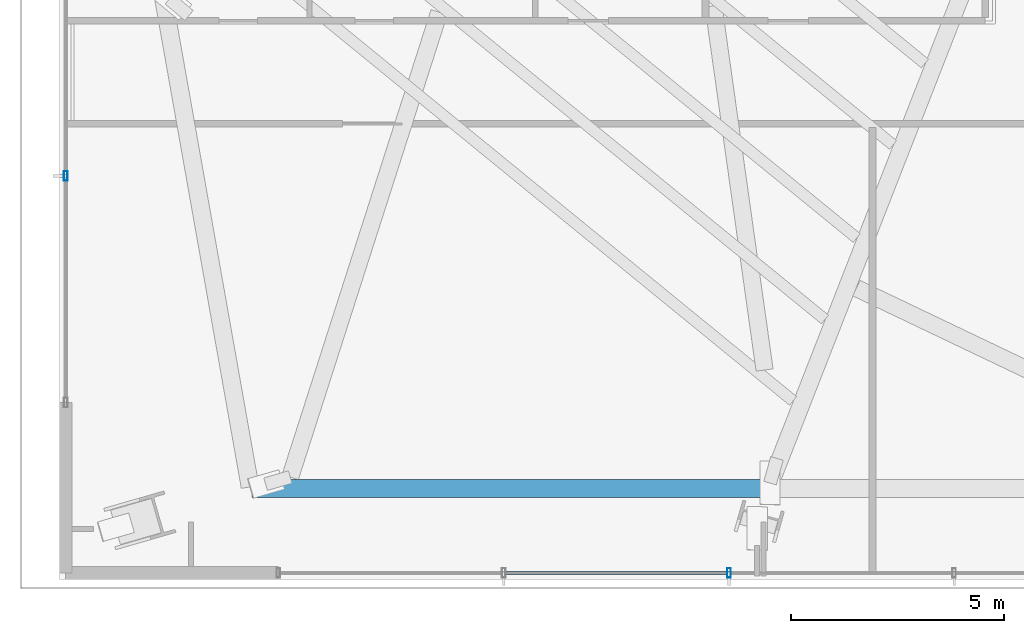
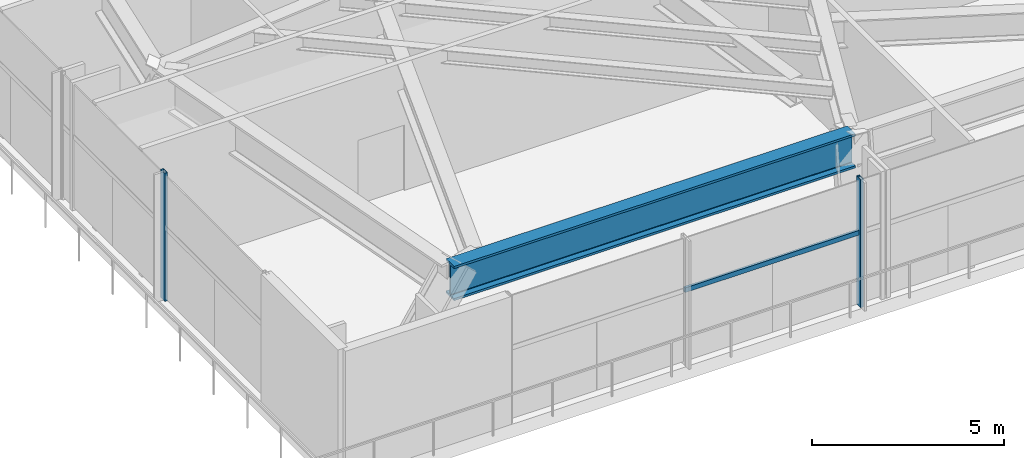
# One storey, part 3 of 29: 3 members, 1 beam, 2 elements without a shape of their own.
"""IFC4 building model written with IfcOpenShell, lengths in metres."""

from ifc_helpers import new_model, si_unit, direction, frame, origin, origin_2d, place, context, subcontext, project, spatial, hollow_rectangle, i_section, extrude, source, transform, mapped, material, material_profile, profile_set, type_object, type_shapes, element, aggregate, save


model = new_model("IFC4")

# Units and contexts
model_context = context("Model", 3, precision=1e-05, world=origin(), true_north=direction((0.0, 1.0)))
body_context = subcontext(model_context, "Body", "Model", "MODEL_VIEW")
ifc_project = project(units=[si_unit("LENGTHUNIT", "METRE"), si_unit("AREAUNIT", "SQUARE_METRE"), si_unit("VOLUMEUNIT", "CUBIC_METRE"), si_unit("PLANEANGLEUNIT", "RADIAN"), si_unit("MASSUNIT", "GRAM", prefix="KILO")], contexts=[model_context])

# Site, building, storey
site_placement = place(None, origin())
site = spatial("IfcSite", under=ifc_project, at=site_placement, CompositionType="ELEMENT")
building_placement = place(site_placement, origin())
building = spatial("IfcBuilding", under=site, at=building_placement, Name="Astriad Promenade Condominiums", CompositionType="ELEMENT")
storey_placement = place(building_placement, frame((0.0, 0.0, 18.5)))
storey = spatial("IfcBuildingStorey", under=building, at=storey_placement, Name="L04", CompositionType="ELEMENT", Elevation=18.5)

# Beam
ifc_material_1 = material(Name="Steel ASTM A992 Grade 50", Category="steel")
ifc_material_profile_1 = material_profile(ifc_material_1, i_section(OverallWidth=0.4169921875, OverallDepth=1.093505859375, WebThickness=0.0390625, FlangeThickness=0.070068359375, FilletRadius=0.025390625, at=origin_2d()), Name="W40X503")
ifc_profile_set_1 = profile_set([ifc_material_profile_1], Name="Steel ASTM A992 Grade 50")
beam_type = type_object("IfcBeamType", Name="STEEL TRANSFER GIRDER W40X503", PredefinedType="BEAM", material=ifc_profile_set_1)
shared_shape_1 = source(origin(), body_context, "Body", "SweptSolid", [
    extrude(i_section(OverallWidth=0.4169921875, OverallDepth=1.093505859375, WebThickness=0.0390625, FlangeThickness=0.070068359375, FilletRadius=0.025390625, at=origin_2d()), origin(), (0.0, 0.0, 1.0), 12.09033203125),
])
type_shapes(beam_type, [shared_shape_1])
beam_placement = place(storey_placement, frame((8.927978515625, 3.732666015625, 3.533203125), z_axis=(1.0, 0.0, 0.0), x_axis=(0.0, 1.0, 0.0)))
element("IfcBeam", 1, at=beam_placement, inside=storey, type_object=beam_type, Name="Perimeter Spandrel Beam SP-S1-L04", PredefinedType="BEAM", context=body_context, shape_type="MappedRepresentation", body=[
    mapped(shared_shape_1, transform((0.0, 0.0, 0.0), scale=1.0)),
])

# Curtain wall, member
ifc_material_2 = material(Name="Anodised aluminium Black Dark Glass Unitised", Category="aluminium")
curtain_wall_type = type_object("IfcCurtainWallType", Name="CW-POD-DARK", PredefinedType="USERDEFINED", material=ifc_material_2)
curtain_wall_1_placement = place(storey_placement, origin())
curtain_wall_1 = element("IfcCurtainWall", 2, at=curtain_wall_1_placement, inside=storey, type_object=curtain_wall_type, Name="CW-L04-W", ObjectType="UNITISED_CURTAIN_WALL", PredefinedType="USERDEFINED")
ifc_material_3 = material(Name="Anodised aluminium 6063-T6 Black", Category="aluminium")
ifc_material_profile_2 = material_profile(ifc_material_3, hollow_rectangle(XDim=0.0849609375, YDim=0.219970703125, WallThickness=0.0048828125, at=origin_2d()), Name="ALU-MUL-85X220")
ifc_profile_set_2 = profile_set([ifc_material_profile_2], Name="Anodised aluminium 6063-T6 Black")
member_type_1 = type_object("IfcMemberType", Name="MUL-ALU-MUL-85X220", PredefinedType="MULLION", material=ifc_profile_set_2)
shared_shape_2 = source(origin(), body_context, "Body", "SweptSolid", [
    extrude(hollow_rectangle(XDim=0.0849609375, YDim=0.219970703125, WallThickness=0.0048828125, at=origin_2d()), origin(), (0.0, 0.0, 1.0), 4.080078125),
])
type_shapes(member_type_1, [shared_shape_2])
member_1_placement = place(storey_placement, frame((4.550048828125, 11.074951171875, 0.0), z_axis=(0.0, 0.0, 1.0), x_axis=(1.0, 0.0, 0.0)))
member_1 = element("IfcMember", 3, at=member_1_placement, type_object=member_type_1, Name="CW-L04-W-MUL-01", PredefinedType="MULLION", context=body_context, shape_type="MappedRepresentation", body=[
    mapped(shared_shape_2, transform((0.0, 0.0, 0.0), scale=1.0)),
])
aggregate(curtain_wall_1, [member_1])

# Curtain wall, members
curtain_wall_2_placement = place(storey_placement, origin())
curtain_wall_2 = element("IfcCurtainWall", 4, at=curtain_wall_2_placement, inside=storey, type_object=curtain_wall_type, Name="CW-L04-S", ObjectType="UNITISED_CURTAIN_WALL", PredefinedType="USERDEFINED")
member_2_placement = place(storey_placement, frame((20.1298828125, 1.75, 0.0), z_axis=(0.0, 0.0, 1.0), x_axis=(1.0, 0.0, 0.0)))
member_2 = element("IfcMember", 5, at=member_2_placement, type_object=member_type_1, Name="CW-L04-S-MUL-08", PredefinedType="MULLION", context=body_context, shape_type="MappedRepresentation", body=[
    mapped(shared_shape_2, transform((0.0, 0.0, 0.0), scale=1.0)),
])
ifc_material_profile_3 = material_profile(ifc_material_3, hollow_rectangle(XDim=0.074951171875, YDim=0.14990234375, WallThickness=0.004150390625, at=origin_2d()), Name="ALU-TRN-75X150")
ifc_profile_set_3 = profile_set([ifc_material_profile_3], Name="Anodised aluminium 6063-T6 Black")
member_type_2 = type_object("IfcMemberType", Name="TRN-ALU-TRN-75X150", PredefinedType="USERDEFINED", material=ifc_profile_set_3)
shared_shape_3 = source(origin(), body_context, "Body", "SweptSolid", [
    extrude(hollow_rectangle(XDim=0.074951171875, YDim=0.14990234375, WallThickness=0.004150390625, at=origin_2d()), origin(), (0.0, 0.0, 1.0), 5.289794921875),
])
type_shapes(member_type_2, [shared_shape_3])
member_3_placement = place(storey_placement, frame((20.1298828125, 1.75, 2.35009765625), z_axis=(-1.0, 0.0, 0.0), x_axis=(0.0, -1.0, 0.0)))
member_3 = element("IfcMember", 6, at=member_3_placement, type_object=member_type_2, Name="CW-L04-S-TRN-08-0", ObjectType="TRANSOM", PredefinedType="USERDEFINED", context=body_context, shape_type="MappedRepresentation", body=[
    mapped(shared_shape_3, transform((0.0, 0.0, 0.0), scale=1.0)),
])
aggregate(curtain_wall_2, [member_2, member_3])

save(model, "model.ifc")
